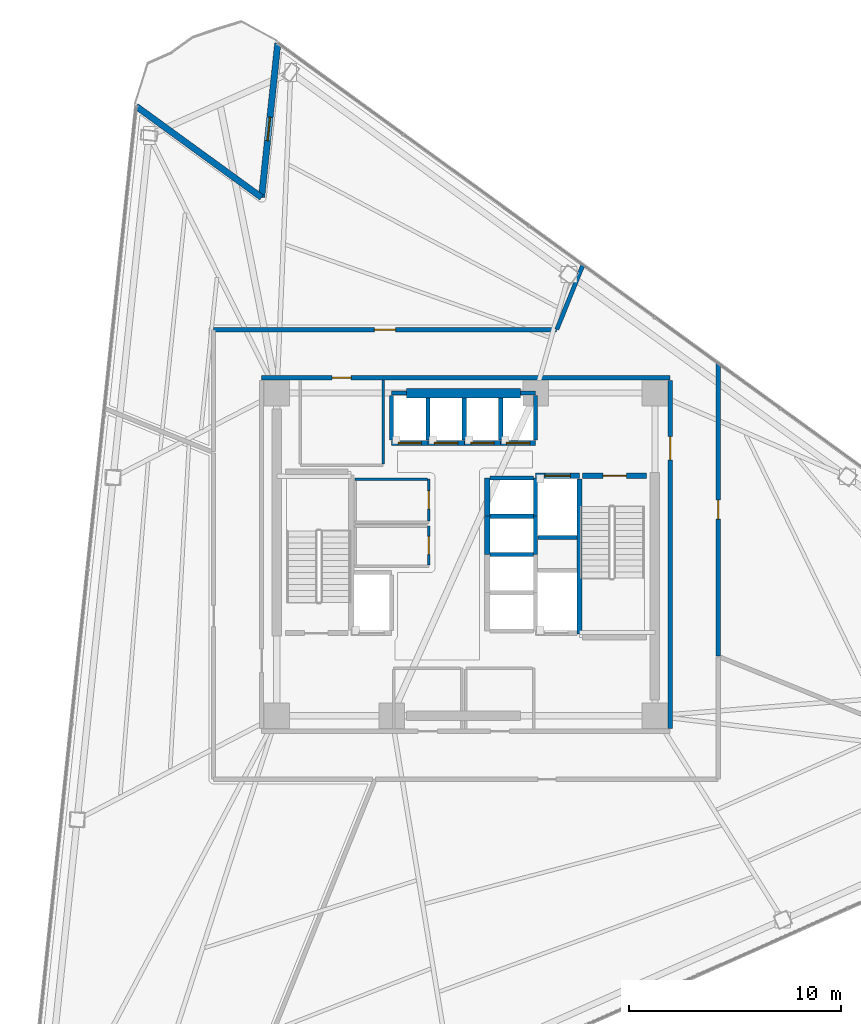
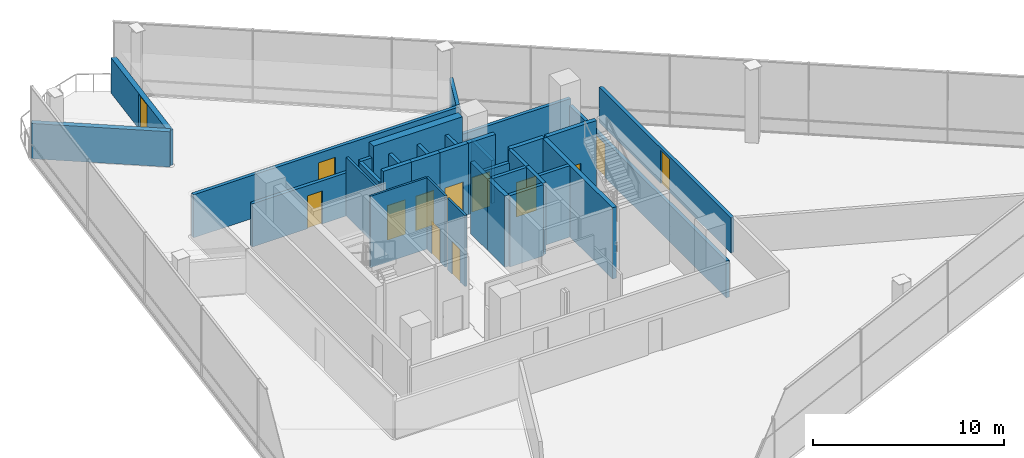
# One storey, part 12 of 18: 34 walls, 13 doors, 13 openings.
"""IFC4 building model written with IfcOpenShell, lengths in metres."""

from ifc_helpers import new_model, si_unit, direction, frame, frame_2d, origin, place, context, subcontext, project, spatial, rectangle, extrude, material, layer, layer_set, type_object, element, fill, save


model = new_model("IFC4")

# Units and contexts
model_context = context("Model", 3, precision=1e-05, world=origin(), true_north=direction((0.0, 1.0)))
body_context = subcontext(model_context, "Body", "Model", "MODEL_VIEW")
ifc_project = project(units=[si_unit("LENGTHUNIT", "METRE"), si_unit("AREAUNIT", "SQUARE_METRE"), si_unit("VOLUMEUNIT", "CUBIC_METRE"), si_unit("PLANEANGLEUNIT", "RADIAN"), si_unit("MASSUNIT", "GRAM", prefix="KILO")], contexts=[model_context])

# Site, building, storey
site_placement = place(None, origin())
site = spatial("IfcSite", under=ifc_project, at=site_placement, CompositionType="ELEMENT")
building_placement = place(site_placement, origin())
building = spatial("IfcBuilding", under=site, at=building_placement, Name="Tharavind Bronze Gate", CompositionType="ELEMENT")
storey_placement = place(building_placement, frame((0.0, 0.0, 134.050048828125)))
storey = spatial("IfcBuildingStorey", under=building, at=storey_placement, Name="L34", CompositionType="ELEMENT", Elevation=134.050048828125)

# Wall, opening, door
ifc_material_1 = material(Name="Concrete C40/50", Category="concrete")
ifc_layer_1 = layer(ifc_material_1, 0.300048828125)
ifc_layer_set_1 = layer_set([ifc_layer_1], Name="Concrete C40/50")
wall_type_1 = type_object("IfcWallType", Name="EXTERIOR SPANDREL WALL 300", PredefinedType="STANDARD", material=ifc_layer_set_1)
wall_1_placement = place(storey_placement, frame((-8.85888671875, 24.07080078125, 0.0), z_axis=(0.0, 0.0, 1.0), x_axis=(-0.104512431924, -0.9945235802, 0.0)))
wall_1 = element("IfcWall", 1, at=wall_1_placement, inside=storey, type_object=wall_type_1, Name="L34 notch cheek wall 1A", PredefinedType="STANDARD", context=body_context, shape_type="SweptSolid", body=[
    extrude(rectangle(XDim=7.300048828125, YDim=0.300048828125, at=frame_2d((3.64990234375, 0.0))), origin(), (0.0, 0.0, 1.0), 2.2548828125),
])
opening_1_placement = place(wall_1_placement, frame((3.508056640625, 0.0, 0.0)))
opening_1 = element("IfcOpeningElement", 2, at=opening_1_placement, cuts=wall_1, Name="Opening ED04", PredefinedType="OPENING", context=body_context, shape_type="SweptSolid", body=[
    extrude(rectangle(XDim=1.10009765625, YDim=2.199951171875, at=frame_2d((0.550048828125, 1.10009765625))), frame((0.0, 0.15990234375, 0.0), z_axis=(0.0, -1.0, 0.0), x_axis=(1.0, 0.0, 0.0)), (0.0, 0.0, 1.0), 0.320048828125),
])
ifc_material_2 = material(Name="Bronze Aluminium & Toughened Glass", Category="aluminium")
door_type_1 = type_object("IfcDoorType", Name="TREE BALCONY ACCESS DOOR 1100X2200", OperationType="SINGLE_SWING_LEFT", PredefinedType="DOOR", material=ifc_material_2)
door_1_placement = place(opening_1_placement, origin())
door_1 = element("IfcDoor", 3, at=door_1_placement, inside=storey, type_object=door_type_1, Name="L34 tree balcony access door", OperationType="SINGLE_SWING_LEFT", OverallHeight=2.199951171875, OverallWidth=1.10009765625, PredefinedType="DOOR", context=body_context, shape_type="SweptSolid", body=[
    extrude(rectangle(XDim=1.10009765625, YDim=2.199951171875, at=frame_2d((0.550048828125, 1.10009765625))), frame((0.0, 0.02490234375, 0.0), z_axis=(0.0, -1.0, 0.0), x_axis=(1.0, 0.0, 0.0)), (0.0, 0.0, 1.0), 0.050048828125),
])
fill(opening_1, door_1)

# Wall
wall_2_placement = place(storey_placement, frame((-9.621826171875, 16.810791015625, 0.0), z_axis=(0.0, 0.0, 1.0), x_axis=(-0.809002104592, 0.587805745775, 0.0)))
element("IfcWall", 4, at=wall_2_placement, inside=storey, type_object=wall_type_1, Name="L34 notch cheek wall 1B", PredefinedType="STANDARD", context=body_context, shape_type="SweptSolid", body=[
    extrude(rectangle(XDim=7.300048828125, YDim=0.300048828125, at=frame_2d((3.64990234375, 0.0))), origin(), (0.0, 0.0, 1.0), 2.2548828125),
])

# Wall, opening, door
ifc_material_3 = material(Name="Aerated Concrete Block", Category="concrete")
ifc_layer_2 = layer(ifc_material_3, 0.199951171875)
ifc_layer_set_2 = layer_set([ifc_layer_2], Name="Aerated Concrete Block")
wall_type_2 = type_object("IfcWallType", Name="FIRE RATED PARTITION 200", PredefinedType="PARTITIONING", material=ifc_layer_set_2)
wall_3_placement = place(storey_placement, frame((9.6201171875, 8.320068359375, 0.0), z_axis=(0.0, 0.0, 1.0), x_axis=(-1.0, 0.0, 0.0)))
wall_3 = element("IfcWall", 5, at=wall_3_placement, inside=storey, type_object=wall_type_2, Name="L34 north core corridor wall", PredefinedType="PARTITIONING", context=body_context, shape_type="SweptSolid", body=[
    extrude(rectangle(XDim=19.240234375, YDim=0.199951171875, at=frame_2d((9.6201171875, 0.0))), origin(), (0.0, 0.0, 1.0), 2.7548828125),
])
opening_2_placement = place(wall_3_placement, frame((15.02001953125, 0.0, 0.0)))
opening_2 = element("IfcOpeningElement", 6, at=opening_2_placement, cuts=wall_3, Name="Opening ID07", PredefinedType="OPENING", context=body_context, shape_type="SweptSolid", body=[
    extrude(rectangle(XDim=0.89990234375, YDim=2.10009765625, at=frame_2d((0.449951171875, 1.050048828125))), frame((0.0, 0.11009765625, 0.0), z_axis=(0.0, -1.0, 0.0), x_axis=(1.0, 0.0, 0.0)), (0.0, 0.0, 1.0), 0.219951171875),
])
ifc_material_4 = material(Name="Galvanised Fire Steel", Category="steel")
door_type_2 = type_object("IfcDoorType", Name="PLANT AND RISER FIRE DOOR 900X2100", OperationType="SINGLE_SWING_LEFT", PredefinedType="DOOR", material=ifc_material_4)
door_2_placement = place(opening_2_placement, frame((0.89990234375, 0.0, 0.0), z_axis=(0.0, 0.0, 1.0), x_axis=(-1.0, 0.0, 0.0)))
door_2 = element("IfcDoor", 7, at=door_2_placement, inside=storey, type_object=door_type_2, Name="L34 Electrical Switch Room fire door", OperationType="SINGLE_SWING_LEFT", OverallHeight=2.10009765625, OverallWidth=0.89990234375, PredefinedType="DOOR", context=body_context, shape_type="SweptSolid", body=[
    extrude(rectangle(XDim=0.89990234375, YDim=2.10009765625, at=frame_2d((0.449951171875, 1.050048828125))), frame((0.0, 0.02490234375, 0.0), z_axis=(0.0, -1.0, 0.0), x_axis=(1.0, 0.0, 0.0)), (0.0, 0.0, 1.0), 0.050048828125),
])
fill(opening_2, door_2)

wall_4_placement = place(storey_placement, frame((9.6201171875, -8.199951171875, 0.0), z_axis=(0.0, 0.0, 1.0), x_axis=(0.0, 1.0, 0.0)))
wall_4 = element("IfcWall", 8, at=wall_4_placement, inside=storey, type_object=wall_type_2, Name="L34 east core corridor wall", PredefinedType="PARTITIONING", context=body_context, shape_type="SweptSolid", body=[
    extrude(rectangle(XDim=16.39990234375, YDim=0.199951171875, at=frame_2d((8.199951171875, 0.0))), origin(), (0.0, 0.0, 1.0), 2.35498046875),
])
opening_3_placement = place(wall_4_placement, frame((12.64990234375, 0.0, 0.0)))
opening_3 = element("IfcOpeningElement", 9, at=opening_3_placement, cuts=wall_4, Name="Opening ID01", PredefinedType="OPENING", context=body_context, shape_type="SweptSolid", body=[
    extrude(rectangle(XDim=1.10009765625, YDim=2.14990234375, at=frame_2d((0.550048828125, 1.074951171875))), frame((0.0, 0.11009765625, 0.0), z_axis=(0.0, -1.0, 0.0), x_axis=(1.0, 0.0, 0.0)), (0.0, 0.0, 1.0), 0.219951171875),
])
ifc_material_5 = material(Name="Fire-Rated Steel", Category="steel")
door_type_3 = type_object("IfcDoorType", Name="STAIR CORE FIRE DOOR 1100X2150", OperationType="SINGLE_SWING_LEFT", PredefinedType="DOOR", material=ifc_material_5)
door_3_placement = place(opening_3_placement, frame((1.10009765625, 0.0, 0.0), z_axis=(0.0, 0.0, 1.0), x_axis=(-1.0, 0.0, 0.0)))
door_3 = element("IfcDoor", 10, at=door_3_placement, inside=storey, type_object=door_type_3, Name="L34 north east stair lobby fire door", OperationType="SINGLE_SWING_LEFT", OverallHeight=2.14990234375, OverallWidth=1.10009765625, PredefinedType="DOOR", context=body_context, shape_type="SweptSolid", body=[
    extrude(rectangle(XDim=1.10009765625, YDim=2.14990234375, at=frame_2d((0.550048828125, 1.074951171875))), frame((0.0, 0.02490234375, 0.0), z_axis=(0.0, -1.0, 0.0), x_axis=(1.0, 0.0, 0.0)), (0.0, 0.0, 1.0), 0.050048828125),
])
fill(opening_3, door_3)

# Wall
wall_5_placement = place(storey_placement, frame((5.500732421875, 13.61474609375, 0.0), z_axis=(0.0, 0.0, 1.0), x_axis=(-0.374594455556, -0.927188758488, 0.0)))
element("IfcWall", 11, at=wall_5_placement, inside=storey, type_object=wall_type_2, Name="L34 Broadcast Editorial Studio partition", PredefinedType="PARTITIONING", context=body_context, shape_type="SweptSolid", body=[
    extrude(rectangle(XDim=3.256103515625, YDim=0.199951171875, at=frame_2d((1.6279296875, 0.0))), origin(), (0.0, 0.0, 1.0), 2.2548828125),
])

# Wall, opening, door
wall_6_placement = place(storey_placement, frame((4.2578125, 10.580078125, 0.0), z_axis=(0.0, 0.0, 1.0), x_axis=(-1.0, 0.0, 0.0)))
wall_6 = element("IfcWall", 12, at=wall_6_placement, inside=storey, type_object=wall_type_2, Name="L34 Broadcast Editorial Studio partition", PredefinedType="PARTITIONING", context=body_context, shape_type="SweptSolid", body=[
    extrude(rectangle(XDim=16.13720703125, YDim=0.199951171875, at=frame_2d((8.068603515625, 0.0))), origin(), (0.0, 0.0, 1.0), 2.7548828125),
])
opening_4_placement = place(wall_6_placement, frame((7.569091796875, 0.0, 0.0)))
opening_4 = element("IfcOpeningElement", 13, at=opening_4_placement, cuts=wall_6, Name="Opening ID04", PredefinedType="OPENING", context=body_context, shape_type="SweptSolid", body=[
    extrude(rectangle(XDim=1.0, YDim=2.14990234375, at=frame_2d((0.5, 1.074951171875))), frame((0.0, 0.11009765625, 0.0), z_axis=(0.0, -1.0, 0.0), x_axis=(1.0, 0.0, 0.0)), (0.0, 0.0, 1.0), 0.219951171875),
])
ifc_material_6 = material(Name="Bronze Framed Acoustic Timber", Category="wood")
door_type_4 = type_object("IfcDoorType", Name="OFFICE TENANCY DOOR 1000X2150", OperationType="SINGLE_SWING_RIGHT", PredefinedType="DOOR", material=ifc_material_6)
door_4_placement = place(opening_4_placement, origin())
door_4 = element("IfcDoor", 14, at=door_4_placement, inside=storey, type_object=door_type_4, Name="L34 Broadcast Editorial Studio door", OperationType="SINGLE_SWING_RIGHT", OverallHeight=2.14990234375, OverallWidth=1.0, PredefinedType="DOOR", context=body_context, shape_type="SweptSolid", body=[
    extrude(rectangle(XDim=1.0, YDim=2.14990234375, at=frame_2d((0.5, 1.074951171875))), frame((0.0, 0.02490234375, 0.0), z_axis=(0.0, -1.0, 0.0), x_axis=(1.0, 0.0, 0.0)), (0.0, 0.0, 1.0), 0.050048828125),
])
fill(opening_4, door_4)

wall_7_placement = place(storey_placement, frame((11.8798828125, -4.782958984375, 0.0), z_axis=(0.0, 0.0, 1.0), x_axis=(0.0, 1.0, 0.0)))
wall_7 = element("IfcWall", 15, at=wall_7_placement, inside=storey, type_object=wall_type_2, Name="L34 Broadcast Tea Pantry partition", PredefinedType="PARTITIONING", context=body_context, shape_type="SweptSolid", body=[
    extrude(rectangle(XDim=13.786376953125, YDim=0.199951171875, at=frame_2d((6.89306640625, 0.0))), origin(), (0.0, 0.0, 1.0), 2.2548828125),
])
opening_5_placement = place(wall_7_placement, frame((6.443115234375, 0.0, 0.0)))
opening_5 = element("IfcOpeningElement", 16, at=opening_5_placement, cuts=wall_7, Name="Opening ID07", PredefinedType="OPENING", context=body_context, shape_type="SweptSolid", body=[
    extrude(rectangle(XDim=0.89990234375, YDim=2.10009765625, at=frame_2d((0.449951171875, 1.050048828125))), frame((0.0, 0.11009765625, 0.0), z_axis=(0.0, -1.0, 0.0), x_axis=(1.0, 0.0, 0.0)), (0.0, 0.0, 1.0), 0.219951171875),
])
door_5_placement = place(opening_5_placement, origin())
door_5 = element("IfcDoor", 17, at=door_5_placement, inside=storey, type_object=door_type_2, Name="L34 Broadcast Tea Pantry door", OperationType="SINGLE_SWING_LEFT", OverallHeight=2.10009765625, OverallWidth=0.89990234375, PredefinedType="DOOR", context=body_context, shape_type="SweptSolid", body=[
    extrude(rectangle(XDim=0.89990234375, YDim=2.10009765625, at=frame_2d((0.449951171875, 1.050048828125))), frame((0.0, 0.02490234375, 0.0), z_axis=(0.0, -1.0, 0.0), x_axis=(1.0, 0.0, 0.0)), (0.0, 0.0, 1.0), 0.050048828125),
])
fill(opening_5, door_5)

ifc_material_7 = material(Name="Metal Stud Gypsum Partition", Category="gypsum")
ifc_layer_3 = layer(ifc_material_7, 0.1201171875)
ifc_layer_set_3 = layer_set([ifc_layer_3], Name="Metal Stud Gypsum Partition")
wall_type_3 = type_object("IfcWallType", Name="INTERIOR PARTITION WALL 120", PredefinedType="PARTITIONING", material=ifc_layer_set_3)
wall_8_placement = place(storey_placement, frame((-1.75, 1.5849609375, 0.0), z_axis=(0.0, 0.0, 1.0), x_axis=(0.0, 1.0, 0.0)))
wall_8 = element("IfcWall", 18, at=wall_8_placement, inside=storey, type_object=wall_type_3, Name="L34 Cleaner Store Room partition 2", PredefinedType="PARTITIONING", context=body_context, shape_type="SweptSolid", body=[
    extrude(rectangle(XDim=1.965087890625, YDim=0.1201171875, at=frame_2d((0.982421875, 0.0))), origin(), (0.0, 0.0, 1.0), 4.56005859375),
])
opening_6_placement = place(wall_8_placement, frame((0.556884765625, 0.0, 0.0)))
opening_6 = element("IfcOpeningElement", 19, at=opening_6_placement, cuts=wall_8, Name="Opening ID06", PredefinedType="OPENING", context=body_context, shape_type="SweptSolid", body=[
    extrude(rectangle(XDim=0.85009765625, YDim=2.10009765625, at=frame_2d((0.425048828125, 1.050048828125))), frame((0.0, 0.07005859375, 0.0), z_axis=(0.0, -1.0, 0.0), x_axis=(1.0, 0.0, 0.0)), (0.0, 0.0, 1.0), 0.1401171875),
])
ifc_material_8 = material(Name="Moisture-Resistant Timber", Category="wood")
door_type_5 = type_object("IfcDoorType", Name="BATHROOM PRIVACY DOOR 850X2100", OperationType="SINGLE_SWING_RIGHT", PredefinedType="DOOR", material=ifc_material_8)
door_6_placement = place(opening_6_placement, frame((0.85009765625, 0.0, 0.0), z_axis=(0.0, 0.0, 1.0), x_axis=(-1.0, 0.0, 0.0)))
door_6 = element("IfcDoor", 20, at=door_6_placement, inside=storey, type_object=door_type_5, Name="L34 Cleaner Store Room door", OperationType="SINGLE_SWING_RIGHT", OverallHeight=2.10009765625, OverallWidth=0.85009765625, PredefinedType="DOOR", context=body_context, shape_type="SweptSolid", body=[
    extrude(rectangle(XDim=0.85009765625, YDim=2.10009765625, at=frame_2d((0.425048828125, 1.050048828125))), frame((0.0, 0.02490234375, 0.0), z_axis=(0.0, -1.0, 0.0), x_axis=(1.0, 0.0, 0.0)), (0.0, 0.0, 1.0), 0.050048828125),
])
fill(opening_6, door_6)

# Wall
wall_9_placement = place(storey_placement, frame((-1.81494140625, 3.550048828125, 0.0), z_axis=(0.0, 0.0, 1.0), x_axis=(-1.0, 0.0, 0.0)))
element("IfcWall", 21, at=wall_9_placement, inside=storey, type_object=wall_type_3, Name="L34 Cleaner Store Room partition 3", PredefinedType="PARTITIONING", context=body_context, shape_type="SweptSolid", body=[
    extrude(rectangle(XDim=3.405029296875, YDim=0.1201171875, at=frame_2d((1.70263671875, 0.0))), origin(), (0.0, 0.0, 1.0), 4.56005859375),
])

# Wall, opening, door
wall_10_placement = place(storey_placement, frame((-1.75, -0.485107421875, 0.0), z_axis=(0.0, 0.0, 1.0), x_axis=(0.0, 1.0, 0.0)))
wall_10 = element("IfcWall", 22, at=wall_10_placement, inside=storey, type_object=wall_type_3, Name="L34 Electrical Switch Room partition 2", PredefinedType="PARTITIONING", context=body_context, shape_type="SweptSolid", body=[
    extrude(rectangle(XDim=1.8251953125, YDim=0.1201171875, at=frame_2d((0.91259765625, 0.0))), origin(), (0.0, 0.0, 1.0), 4.56005859375),
])
opening_7_placement = place(wall_10_placement, frame((0.488037109375, 0.0, 0.0)))
opening_7 = element("IfcOpeningElement", 23, at=opening_7_placement, cuts=wall_10, Name="Opening ID06", PredefinedType="OPENING", context=body_context, shape_type="SweptSolid", body=[
    extrude(rectangle(XDim=0.85009765625, YDim=2.10009765625, at=frame_2d((0.425048828125, 1.050048828125))), frame((0.0, 0.07005859375, 0.0), z_axis=(0.0, -1.0, 0.0), x_axis=(1.0, 0.0, 0.0)), (0.0, 0.0, 1.0), 0.1401171875),
])
door_7_placement = place(opening_7_placement, frame((0.85009765625, 0.0, 0.0), z_axis=(0.0, 0.0, 1.0), x_axis=(-1.0, 0.0, 0.0)))
door_7 = element("IfcDoor", 24, at=door_7_placement, inside=storey, type_object=door_type_5, Name="L34 Electrical Switch Room door", OperationType="SINGLE_SWING_RIGHT", OverallHeight=2.10009765625, OverallWidth=0.85009765625, PredefinedType="DOOR", context=body_context, shape_type="SweptSolid", body=[
    extrude(rectangle(XDim=0.85009765625, YDim=2.10009765625, at=frame_2d((0.425048828125, 1.050048828125))), frame((0.0, 0.02490234375, 0.0), z_axis=(0.0, -1.0, 0.0), x_axis=(1.0, 0.0, 0.0)), (0.0, 0.0, 1.0), 0.050048828125),
])
fill(opening_7, door_7)

# Walls
wall_11_placement = place(storey_placement, frame((-3.89990234375, 4.264892578125, 0.0), z_axis=(0.0, 0.0, 1.0), x_axis=(0.0, 1.0, 0.0)))
element("IfcWall", 25, at=wall_11_placement, inside=storey, type_object=wall_type_3, Name="L34 Electrical Switch Room partition 2", PredefinedType="PARTITIONING", context=body_context, shape_type="SweptSolid", body=[
    extrude(rectangle(XDim=3.9501953125, YDim=0.1201171875, at=frame_2d((1.97509765625, 0.0))), origin(), (0.0, 0.0, 1.0), 3.7548828125),
])
ifc_material_9 = material(Name="Concrete C50/60", Category="concrete")
ifc_layer_4 = layer(ifc_material_9, 0.25)
ifc_layer_set_4 = layer_set([ifc_layer_4], Name="Concrete C50/60")
wall_type_4 = type_object("IfcWallType", Name="RC CORE SHEAR WALL 250", PredefinedType="SHEAR", material=ifc_layer_set_4)
wall_12_placement = place(storey_placement, frame((5.35009765625, -3.75, 0.0), z_axis=(0.0, 0.0, 1.0), x_axis=(0.0, 1.0, 0.0)))
element("IfcWall", 26, at=wall_12_placement, inside=storey, type_object=wall_type_4, Name="L34 ST2 shaft west wall", PredefinedType="SHEAR", context=body_context, shape_type="SweptSolid", body=[
    extrude(rectangle(XDim=7.300048828125, YDim=0.25, at=frame_2d((3.64990234375, 0.0))), origin(), (0.0, 0.0, 1.0), 4.56005859375),
])

# Wall, opening, door
wall_13_placement = place(storey_placement, frame((5.5, 3.699951171875, 0.0), z_axis=(0.0, 0.0, 1.0), x_axis=(1.0, 0.0, 0.0)))
wall_13 = element("IfcWall", 27, at=wall_13_placement, inside=storey, type_object=wall_type_4, Name="L34 ST2 shaft north wall", PredefinedType="SHEAR", context=body_context, shape_type="SweptSolid", body=[
    extrude(rectangle(XDim=3.0, YDim=0.25, at=frame_2d((1.5, 0.0))), origin(), (0.0, 0.0, 1.0), 4.56005859375),
])
opening_8_placement = place(wall_13_placement, frame((0.949951171875, 0.0, 0.0)))
opening_8 = element("IfcOpeningElement", 28, at=opening_8_placement, cuts=wall_13, Name="Opening ID01", PredefinedType="OPENING", context=body_context, shape_type="SweptSolid", body=[
    extrude(rectangle(XDim=1.10009765625, YDim=2.14990234375, at=frame_2d((0.550048828125, 1.074951171875))), frame((0.0, 0.135, 0.0), z_axis=(0.0, -1.0, 0.0), x_axis=(1.0, 0.0, 0.0)), (0.0, 0.0, 1.0), 0.27),
])
door_8_placement = place(opening_8_placement, frame((1.10009765625, 0.0, 0.0), z_axis=(0.0, 0.0, 1.0), x_axis=(-1.0, 0.0, 0.0)))
door_8 = element("IfcDoor", 29, at=door_8_placement, inside=storey, type_object=door_type_3, Name="L34 exit stair ST2 fire door", OperationType="SINGLE_SWING_LEFT", OverallHeight=2.14990234375, OverallWidth=1.10009765625, PredefinedType="DOOR", context=body_context, shape_type="SweptSolid", body=[
    extrude(rectangle(XDim=1.10009765625, YDim=2.14990234375, at=frame_2d((0.550048828125, 1.074951171875))), frame((0.0, 0.02490234375, 0.0), z_axis=(0.0, -1.0, 0.0), x_axis=(1.0, 0.0, 0.0)), (0.0, 0.0, 1.0), 0.050048828125),
])
fill(opening_8, door_8)

wall_14_placement = place(storey_placement, frame((-3.5, 5.25, 0.0), z_axis=(0.0, 0.0, 1.0), x_axis=(1.0, 0.0, 0.0)))
wall_14 = element("IfcWall", 30, at=wall_14_placement, inside=storey, type_object=wall_type_4, Name="L34 lift PL5 shaft front wall", PredefinedType="SHEAR", context=body_context, shape_type="SweptSolid", body=[
    extrude(rectangle(XDim=1.71240234375, YDim=0.25, at=frame_2d((0.856201171875, 0.0))), origin(), (0.0, 0.0, 1.0), 4.56005859375),
])
opening_9_placement = place(wall_14_placement, frame((0.305908203125, 0.0, 0.0)))
opening_9 = element("IfcOpeningElement", 31, at=opening_9_placement, cuts=wall_14, Name="Opening LD01", PredefinedType="OPENING", context=body_context, shape_type="SweptSolid", body=[
    extrude(rectangle(XDim=1.10009765625, YDim=2.199951171875, at=frame_2d((0.550048828125, 1.10009765625))), frame((0.0, 0.135, 0.0), z_axis=(0.0, -1.0, 0.0), x_axis=(1.0, 0.0, 0.0)), (0.0, 0.0, 1.0), 0.27),
])
ifc_material_10 = material(Name="Brushed Bronze Stainless Steel", Category="steel")
door_type_6 = type_object("IfcDoorType", Name="LIFT LANDING SLIDING DOOR 1100X2200", OperationType="SLIDING_TO_LEFT", PredefinedType="DOOR", material=ifc_material_10)
door_9_placement = place(opening_9_placement, origin())
door_9 = element("IfcDoor", 32, at=door_9_placement, inside=storey, type_object=door_type_6, Name="L34 lift PL5 sliding landing door", OperationType="SLIDING_TO_LEFT", OverallHeight=2.199951171875, OverallWidth=1.10009765625, PredefinedType="DOOR", context=body_context, shape_type="SweptSolid", body=[
    extrude(rectangle(XDim=1.10009765625, YDim=2.199951171875, at=frame_2d((0.550048828125, 1.10009765625))), frame((0.0, 0.02490234375, 0.0), z_axis=(0.0, -1.0, 0.0), x_axis=(1.0, 0.0, 0.0)), (0.0, 0.0, 1.0), 0.050048828125),
])
fill(opening_9, door_9)

wall_15_placement = place(storey_placement, frame((-1.78759765625, 5.25, 0.0), z_axis=(0.0, 0.0, 1.0), x_axis=(1.0, 0.0, 0.0)))
wall_15 = element("IfcWall", 33, at=wall_15_placement, inside=storey, type_object=wall_type_4, Name="L34 lift PL6 shaft front wall", PredefinedType="SHEAR", context=body_context, shape_type="SweptSolid", body=[
    extrude(rectangle(XDim=1.712646484375, YDim=0.25, at=frame_2d((0.8564453125, 0.0))), origin(), (0.0, 0.0, 1.0), 4.56005859375),
])
opening_10_placement = place(wall_15_placement, frame((0.305908203125, 0.0, 0.0)))
opening_10 = element("IfcOpeningElement", 34, at=opening_10_placement, cuts=wall_15, Name="Opening LD01", PredefinedType="OPENING", context=body_context, shape_type="SweptSolid", body=[
    extrude(rectangle(XDim=1.10009765625, YDim=2.199951171875, at=frame_2d((0.550048828125, 1.10009765625))), frame((0.0, 0.135, 0.0), z_axis=(0.0, -1.0, 0.0), x_axis=(1.0, 0.0, 0.0)), (0.0, 0.0, 1.0), 0.27),
])
door_10_placement = place(opening_10_placement, origin())
door_10 = element("IfcDoor", 35, at=door_10_placement, inside=storey, type_object=door_type_6, Name="L34 lift PL6 sliding landing door", OperationType="SLIDING_TO_LEFT", OverallHeight=2.199951171875, OverallWidth=1.10009765625, PredefinedType="DOOR", context=body_context, shape_type="SweptSolid", body=[
    extrude(rectangle(XDim=1.10009765625, YDim=2.199951171875, at=frame_2d((0.550048828125, 1.10009765625))), frame((0.0, 0.02490234375, 0.0), z_axis=(0.0, -1.0, 0.0), x_axis=(1.0, 0.0, 0.0)), (0.0, 0.0, 1.0), 0.050048828125),
])
fill(opening_10, door_10)

wall_16_placement = place(storey_placement, frame((-0.074951171875, 5.25, 0.0), z_axis=(0.0, 0.0, 1.0), x_axis=(1.0, 0.0, 0.0)))
wall_16 = element("IfcWall", 36, at=wall_16_placement, inside=storey, type_object=wall_type_4, Name="L34 lift PL7 shaft front wall", PredefinedType="SHEAR", context=body_context, shape_type="SweptSolid", body=[
    extrude(rectangle(XDim=1.71240234375, YDim=0.25, at=frame_2d((0.856201171875, 0.0))), origin(), (0.0, 0.0, 1.0), 4.56005859375),
])
opening_11_placement = place(wall_16_placement, frame((0.305908203125, 0.0, 0.0)))
opening_11 = element("IfcOpeningElement", 37, at=opening_11_placement, cuts=wall_16, Name="Opening LD01", PredefinedType="OPENING", context=body_context, shape_type="SweptSolid", body=[
    extrude(rectangle(XDim=1.10009765625, YDim=2.199951171875, at=frame_2d((0.550048828125, 1.10009765625))), frame((0.0, 0.135, 0.0), z_axis=(0.0, -1.0, 0.0), x_axis=(1.0, 0.0, 0.0)), (0.0, 0.0, 1.0), 0.27),
])
door_11_placement = place(opening_11_placement, origin())
door_11 = element("IfcDoor", 38, at=door_11_placement, inside=storey, type_object=door_type_6, Name="L34 lift PL7 sliding landing door", OperationType="SLIDING_TO_LEFT", OverallHeight=2.199951171875, OverallWidth=1.10009765625, PredefinedType="DOOR", context=body_context, shape_type="SweptSolid", body=[
    extrude(rectangle(XDim=1.10009765625, YDim=2.199951171875, at=frame_2d((0.550048828125, 1.10009765625))), frame((0.0, 0.02490234375, 0.0), z_axis=(0.0, -1.0, 0.0), x_axis=(1.0, 0.0, 0.0)), (0.0, 0.0, 1.0), 0.050048828125),
])
fill(opening_11, door_11)

wall_17_placement = place(storey_placement, frame((1.637451171875, 5.25, 0.0), z_axis=(0.0, 0.0, 1.0), x_axis=(1.0, 0.0, 0.0)))
wall_17 = element("IfcWall", 39, at=wall_17_placement, inside=storey, type_object=wall_type_4, Name="L34 lift PL8 shaft front wall", PredefinedType="SHEAR", context=body_context, shape_type="SweptSolid", body=[
    extrude(rectangle(XDim=1.642578125, YDim=0.25, at=frame_2d((0.8212890625, 0.0))), origin(), (0.0, 0.0, 1.0), 4.56005859375),
])
opening_12_placement = place(wall_17_placement, frame((0.27099609375, 0.0, 0.0)))
opening_12 = element("IfcOpeningElement", 40, at=opening_12_placement, cuts=wall_17, Name="Opening LD01", PredefinedType="OPENING", context=body_context, shape_type="SweptSolid", body=[
    extrude(rectangle(XDim=1.10009765625, YDim=2.199951171875, at=frame_2d((0.550048828125, 1.10009765625))), frame((0.0, 0.135, 0.0), z_axis=(0.0, -1.0, 0.0), x_axis=(1.0, 0.0, 0.0)), (0.0, 0.0, 1.0), 0.27),
])
door_12_placement = place(opening_12_placement, origin())
door_12 = element("IfcDoor", 41, at=door_12_placement, inside=storey, type_object=door_type_6, Name="L34 lift PL8 sliding landing door", OperationType="SLIDING_TO_LEFT", OverallHeight=2.199951171875, OverallWidth=1.10009765625, PredefinedType="DOOR", context=body_context, shape_type="SweptSolid", body=[
    extrude(rectangle(XDim=1.10009765625, YDim=2.199951171875, at=frame_2d((0.550048828125, 1.10009765625))), frame((0.0, 0.02490234375, 0.0), z_axis=(0.0, -1.0, 0.0), x_axis=(1.0, 0.0, 0.0)), (0.0, 0.0, 1.0), 0.050048828125),
])
fill(opening_12, door_12)

# Walls
for number, where, z_axis, x_axis, name in (
    (42, (1.0, 0.0, 0.0), (0.0, 0.0, 1.0), (0.0, 1.0, 0.0), "L34 lift PL11 shaft front wall"),
    (43, (1.0, 1.800048828125, 0.0), (0.0, 0.0, 1.0), (0.0, 1.0, 0.0), "L34 lift PL12 shaft front wall"),
):
    element("IfcWall", number, at=place(storey_placement, frame(where, z_axis=z_axis, x_axis=x_axis)), inside=storey, type_object=wall_type_4, Name=name, PredefinedType="SHEAR", context=body_context, shape_type="SweptSolid", body=[
        extrude(rectangle(XDim=1.800048828125, YDim=0.25, at=frame_2d((0.89990234375, 0.0))), origin(), (0.0, 0.0, 1.0), 4.56005859375),
    ])

# Wall, opening, door
wall_18_placement = place(storey_placement, frame((3.280029296875, 3.699951171875, 0.0), z_axis=(0.0, 0.0, 1.0), x_axis=(1.0, 0.0, 0.0)))
wall_18 = element("IfcWall", 44, at=wall_18_placement, inside=storey, type_object=wall_type_4, Name="L34 lift FFL2 shaft front wall", PredefinedType="SHEAR", context=body_context, shape_type="SweptSolid", body=[
    extrude(rectangle(XDim=2.070068359375, YDim=0.25, at=frame_2d((1.03515625, 0.0))), origin(), (0.0, 0.0, 1.0), 4.56005859375),
])
opening_13_placement = place(wall_18_placement, frame((0.43505859375, 0.0, 0.0)))
opening_13 = element("IfcOpeningElement", 45, at=opening_13_placement, cuts=wall_18, Name="Opening LD02", PredefinedType="OPENING", context=body_context, shape_type="SweptSolid", body=[
    extrude(rectangle(XDim=1.199951171875, YDim=2.199951171875, at=frame_2d((0.60009765625, 1.10009765625))), frame((0.0, 0.135, 0.0), z_axis=(0.0, -1.0, 0.0), x_axis=(1.0, 0.0, 0.0)), (0.0, 0.0, 1.0), 0.27),
])
ifc_material_11 = material(Name="Brushed Stainless Steel", Category="steel")
door_type_7 = type_object("IfcDoorType", Name="FIREFIGHTING LIFT LANDING DOOR 1200X2200", OperationType="SLIDING_TO_RIGHT", PredefinedType="DOOR", material=ifc_material_11)
door_13_placement = place(opening_13_placement, origin())
door_13 = element("IfcDoor", 46, at=door_13_placement, inside=storey, type_object=door_type_7, Name="L34 lift FFL2 sliding landing door", OperationType="SLIDING_TO_RIGHT", OverallHeight=2.199951171875, OverallWidth=1.199951171875, PredefinedType="DOOR", context=body_context, shape_type="SweptSolid", body=[
    extrude(rectangle(XDim=1.199951171875, YDim=2.199951171875, at=frame_2d((0.60009765625, 1.10009765625))), frame((0.0, 0.02490234375, 0.0), z_axis=(0.0, -1.0, 0.0), x_axis=(1.0, 0.0, 0.0)), (0.0, 0.0, 1.0), 0.050048828125),
])
fill(opening_13, door_13)

# Walls
ifc_material_12 = material(Name="Concrete C60/75", Category="concrete")
ifc_layer_5 = layer(ifc_material_12, 0.449951171875)
ifc_layer_set_5 = layer_set([ifc_layer_5], Name="Concrete C60/75")
wall_type_5 = type_object("IfcWallType", Name="RC CORE SHEAR WALL 450", PredefinedType="SHEAR", material=ifc_layer_set_5)
wall_19_placement = place(storey_placement, frame((-2.800048828125, 7.60009765625, 0.0), z_axis=(0.0, 0.0, 1.0), x_axis=(1.0, 0.0, 0.0)))
element("IfcWall", 47, at=wall_19_placement, inside=storey, type_object=wall_type_5, Name="L34 north core shear wall", PredefinedType="SHEAR", context=body_context, shape_type="SweptSolid", body=[
    extrude(rectangle(XDim=5.380126953125, YDim=0.449951171875, at=frame_2d((2.68994140625, 0.0))), origin(), (0.0, 0.0, 1.0), 4.56005859375),
])
ifc_layer_6 = layer(ifc_material_1, 0.199951171875)
ifc_layer_set_6 = layer_set([ifc_layer_6], Name="Concrete C40/50")
wall_type_6 = type_object("IfcWallType", Name="SHAFT ENCLOSURE WALL 200", PredefinedType="PARTITIONING", material=ifc_layer_set_6)
wall_20_placement = place(storey_placement, frame((-3.5, 7.60009765625, 0.0), z_axis=(0.0, 0.0, 1.0), x_axis=(1.0, 0.0, 0.0)))
element("IfcWall", 48, at=wall_20_placement, inside=storey, type_object=wall_type_6, Name="L34 lift PL5 shaft N enclosure wall", PredefinedType="PARTITIONING", context=body_context, shape_type="SweptSolid", body=[
    extrude(rectangle(XDim=0.699951171875, YDim=0.199951171875, at=frame_2d((0.35009765625, 0.0))), origin(), (0.0, 0.0, 1.0), 3.7548828125),
])
wall_21_placement = place(storey_placement, frame((-3.5, 5.3798828125, 0.0), z_axis=(0.0, 0.0, 1.0), x_axis=(0.0, 1.0, 0.0)))
element("IfcWall", 49, at=wall_21_placement, inside=storey, type_object=wall_type_6, Name="L34 lift PL5 shaft W enclosure wall", PredefinedType="PARTITIONING", context=body_context, shape_type="SweptSolid", body=[
    extrude(rectangle(XDim=2.115234375, YDim=0.199951171875, at=frame_2d((1.0576171875, 0.0))), origin(), (0.0, 0.0, 1.0), 3.7548828125),
])
for number, where, z_axis, x_axis, name in (
    (50, (-1.78759765625, 5.3798828125, 0.0), (0.0, 0.0, 1.0), (0.0, 1.0, 0.0), "L34 lift PL5 shaft E enclosure wall"),
    (51, (-0.074951171875, 5.3798828125, 0.0), (0.0, 0.0, 1.0), (0.0, 1.0, 0.0), "L34 lift PL6 shaft E enclosure wall"),
    (52, (1.637451171875, 5.3798828125, 0.0), (0.0, 0.0, 1.0), (0.0, 1.0, 0.0), "L34 lift PL7 shaft E enclosure wall"),
):
    element("IfcWall", number, at=place(storey_placement, frame(where, z_axis=z_axis, x_axis=x_axis)), inside=storey, type_object=wall_type_6, Name=name, PredefinedType="PARTITIONING", context=body_context, shape_type="SweptSolid", body=[
        extrude(rectangle(XDim=1.990234375, YDim=0.199951171875, at=frame_2d((0.9951171875, 0.0))), origin(), (0.0, 0.0, 1.0), 3.7548828125),
    ])
wall_22_placement = place(storey_placement, frame((2.580078125, 7.60009765625, 0.0), z_axis=(0.0, 0.0, 1.0), x_axis=(1.0, 0.0, 0.0)))
element("IfcWall", 53, at=wall_22_placement, inside=storey, type_object=wall_type_6, Name="L34 lift PL8 shaft N enclosure wall", PredefinedType="PARTITIONING", context=body_context, shape_type="SweptSolid", body=[
    extrude(rectangle(XDim=0.699951171875, YDim=0.199951171875, at=frame_2d((0.35009765625, 0.0))), origin(), (0.0, 0.0, 1.0), 2.7548828125),
])
wall_23_placement = place(storey_placement, frame((3.280029296875, 5.3798828125, 0.0), z_axis=(0.0, 0.0, 1.0), x_axis=(0.0, 1.0, 0.0)))
element("IfcWall", 54, at=wall_23_placement, inside=storey, type_object=wall_type_6, Name="L34 lift PL8 shaft E enclosure wall", PredefinedType="PARTITIONING", context=body_context, shape_type="SweptSolid", body=[
    extrude(rectangle(XDim=2.115234375, YDim=0.199951171875, at=frame_2d((1.0576171875, 0.0))), origin(), (0.0, 0.0, 1.0), 2.7548828125),
])
wall_24_placement = place(storey_placement, frame((1.1298828125, 0.0, 0.0), z_axis=(0.0, 0.0, 1.0), x_axis=(1.0, 0.0, 0.0)))
element("IfcWall", 55, at=wall_24_placement, inside=storey, type_object=wall_type_6, Name="L34 lift PL10 shaft N enclosure wall", PredefinedType="PARTITIONING", context=body_context, shape_type="SweptSolid", body=[
    extrude(rectangle(XDim=2.045166015625, YDim=0.199951171875, at=frame_2d((1.0224609375, 0.0))), origin(), (0.0, 0.0, 1.0), 4.56005859375),
])
wall_25_placement = place(storey_placement, frame((3.280029296875, 0.0, 0.0), z_axis=(0.0, 0.0, 1.0), x_axis=(0.0, 1.0, 0.0)))
element("IfcWall", 56, at=wall_25_placement, inside=storey, type_object=wall_type_6, Name="L34 lift PL11 shaft E enclosure wall", PredefinedType="PARTITIONING", context=body_context, shape_type="SweptSolid", body=[
    extrude(rectangle(XDim=1.800048828125, YDim=0.199951171875, at=frame_2d((0.89990234375, 0.0))), origin(), (0.0, 0.0, 1.0), 4.56005859375),
])
wall_26_placement = place(storey_placement, frame((1.1298828125, 1.800048828125, 0.0), z_axis=(0.0, 0.0, 1.0), x_axis=(1.0, 0.0, 0.0)))
element("IfcWall", 57, at=wall_26_placement, inside=storey, type_object=wall_type_6, Name="L34 lift PL11 shaft N enclosure wall", PredefinedType="PARTITIONING", context=body_context, shape_type="SweptSolid", body=[
    extrude(rectangle(XDim=2.045166015625, YDim=0.199951171875, at=frame_2d((1.0224609375, 0.0))), origin(), (0.0, 0.0, 1.0), 4.56005859375),
])
wall_27_placement = place(storey_placement, frame((3.280029296875, 1.800048828125, 0.0), z_axis=(0.0, 0.0, 1.0), x_axis=(0.0, 1.0, 0.0)))
element("IfcWall", 58, at=wall_27_placement, inside=storey, type_object=wall_type_6, Name="L34 lift PL12 shaft E enclosure wall", PredefinedType="PARTITIONING", context=body_context, shape_type="SweptSolid", body=[
    extrude(rectangle(XDim=1.800048828125, YDim=0.199951171875, at=frame_2d((0.89990234375, 0.0))), origin(), (0.0, 0.0, 1.0), 4.56005859375),
])
wall_28_placement = place(storey_placement, frame((1.1298828125, 3.60009765625, 0.0), z_axis=(0.0, 0.0, 1.0), x_axis=(1.0, 0.0, 0.0)))
element("IfcWall", 59, at=wall_28_placement, inside=storey, type_object=wall_type_6, Name="L34 lift PL12 shaft N enclosure wall", PredefinedType="PARTITIONING", context=body_context, shape_type="SweptSolid", body=[
    extrude(rectangle(XDim=2.045166015625, YDim=0.199951171875, at=frame_2d((1.0224609375, 0.0))), origin(), (0.0, 0.0, 1.0), 3.7548828125),
])
wall_29_placement = place(storey_placement, frame((3.385009765625, 0.800048828125, 0.0), z_axis=(0.0, 0.0, 1.0), x_axis=(1.0, 0.0, 0.0)))
element("IfcWall", 60, at=wall_29_placement, inside=storey, type_object=wall_type_6, Name="L34 lift FFL2 shaft S enclosure wall", PredefinedType="PARTITIONING", context=body_context, shape_type="SweptSolid", body=[
    extrude(rectangle(XDim=1.8349609375, YDim=0.199951171875, at=frame_2d((0.91748046875, 0.0))), origin(), (0.0, 0.0, 1.0), 4.56005859375),
])

save(model, "model.ifc")
